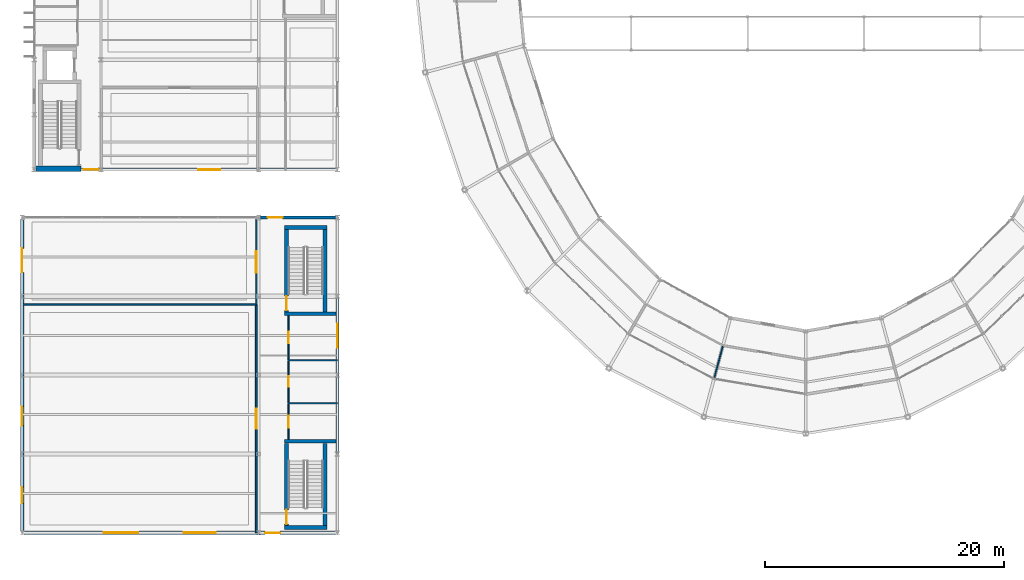
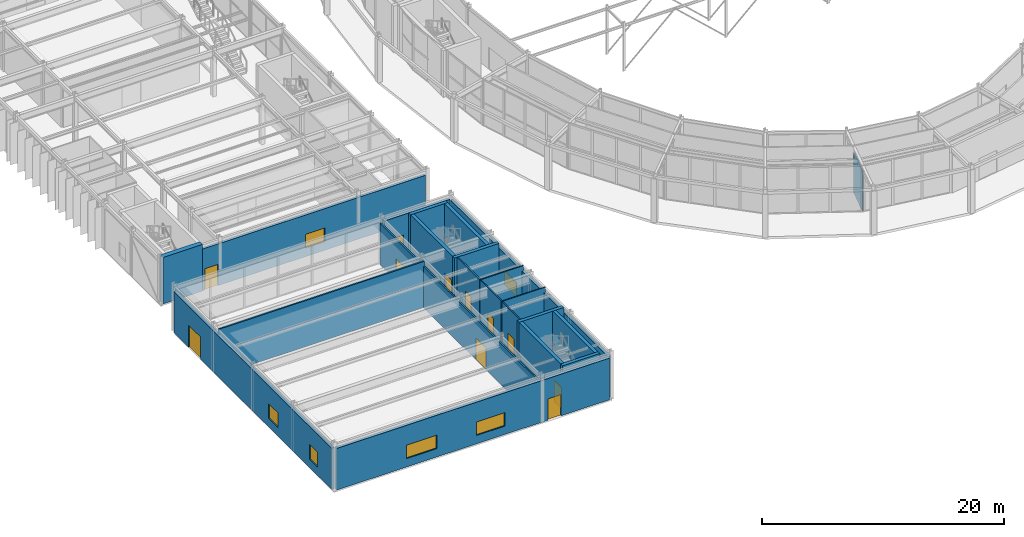
# One storey, part 121 of 144: 23 walls, 11 doors, 6 windows, 17 openings.
"""IFC4 building model written with IfcOpenShell, lengths in metres."""

from ifc_helpers import new_model, si_unit, direction, frame, frame_2d, origin, place, context, subcontext, project, spatial, rectangle, extrude, material, layer, layer_set, type_object, element, fill, save


model = new_model("IFC4")

# Units and contexts
model_context = context("Model", 3, precision=1e-05, world=origin(), true_north=direction((0.0, 1.0)))
body_context = subcontext(model_context, "Body", "Model", "MODEL_VIEW")
ifc_project = project(units=[si_unit("LENGTHUNIT", "METRE"), si_unit("AREAUNIT", "SQUARE_METRE"), si_unit("VOLUMEUNIT", "CUBIC_METRE"), si_unit("PLANEANGLEUNIT", "RADIAN"), si_unit("MASSUNIT", "GRAM", prefix="KILO")], contexts=[model_context])

# Site, building, storey
site_placement = place(None, origin())
site = spatial("IfcSite", under=ifc_project, at=site_placement, CompositionType="ELEMENT")
building_placement = place(site_placement, origin())
building = spatial("IfcBuilding", under=site, at=building_placement, Name="Karori Crest Natural Sciences Institute", CompositionType="ELEMENT")
storey_placement = place(building_placement, origin())
storey = spatial("IfcBuildingStorey", under=building, at=storey_placement, Name="L00", CompositionType="ELEMENT", Elevation=0.0)

# Walls
ifc_material_1 = material(Name="Concrete 50 MPa", Category="concrete")
ifc_layer_1 = layer(ifc_material_1, 0.449951171875, Name="Concrete 50 MPa")
ifc_layer_set_1 = layer_set([ifc_layer_1], Name="Concrete 50 MPa")
wall_type_1 = type_object("IfcWallType", Name="IWT-01-EL", PredefinedType="SHEAR", material=ifc_layer_set_1)
wall_1_placement = place(storey_placement, frame((1.97705078125, 31.27490234375, 0.0), z_axis=(0.0, 0.0, 1.0), x_axis=(1.0, 0.0, 0.0)))
element("IfcWall", 1, at=wall_1_placement, inside=storey, type_object=wall_type_1, Name="Shear wall IW-0229", PredefinedType="SHEAR", context=body_context, shape_type="SweptSolid", body=[
    extrude(rectangle(XDim=3.742919921875, YDim=0.449951171875, at=frame_2d((1.87158203125, 0.0))), origin(), (0.0, 0.0, 1.0), 4.699951171875),
])
ifc_layer_2 = layer(ifc_material_1, 0.320068359375, Name="Concrete 50 MPa")
ifc_layer_set_2 = layer_set([ifc_layer_2], Name="Concrete 50 MPa")
wall_type_2 = type_object("IfcWallType", Name="IWT-03", PredefinedType="SHEAR", material=ifc_layer_set_2)
wall_2_placement = place(storey_placement, frame((22.780029296875, 1.239990234375, 0.0), z_axis=(0.0, 0.0, 1.0), x_axis=(1.0, 0.0, 0.0)))
element("IfcWall", 2, at=wall_2_placement, inside=storey, type_object=wall_type_2, Name="Shear wall IW-0277", PredefinedType="SHEAR", context=body_context, shape_type="SweptSolid", body=[
    extrude(rectangle(XDim=3.5400390625, YDim=0.320068359375, at=frame_2d((1.77001953125, 0.0))), origin(), (0.0, 0.0, 1.0), 4.659912109375),
])
wall_3_placement = place(storey_placement, frame((22.780029296875, 8.4599609375, 0.0), z_axis=(0.0, 0.0, 1.0), x_axis=(1.0, 0.0, 0.0)))
element("IfcWall", 3, at=wall_3_placement, inside=storey, type_object=wall_type_2, Name="Shear wall IW-0278", PredefinedType="SHEAR", context=body_context, shape_type="SweptSolid", body=[
    extrude(rectangle(XDim=4.27490234375, YDim=0.320068359375, at=frame_2d((2.137451171875, 0.0))), origin(), (0.0, 0.0, 1.0), 4.659912109375),
])

# Wall, opening, door
wall_4_placement = place(storey_placement, frame((22.93994140625, 1.402099609375, 0.0), z_axis=(0.0, 0.0, 1.0), x_axis=(0.0, 1.0, 0.0)))
wall_4 = element("IfcWall", 4, at=wall_4_placement, inside=storey, type_object=wall_type_2, Name="Shear wall IW-0279", PredefinedType="SHEAR", context=body_context, shape_type="SweptSolid", body=[
    extrude(rectangle(XDim=6.89599609375, YDim=0.320068359375, at=frame_2d((3.447998046875, 0.0))), origin(), (0.0, 0.0, 1.0), 4.659912109375),
])
opening_1_placement = place(wall_4_placement, frame((0.1201171875, 0.0, 0.0)))
opening_1 = element("IfcOpeningElement", 5, at=opening_1_placement, cuts=wall_4, Name="Opening ID-0070", PredefinedType="OPENING", context=body_context, shape_type="SweptSolid", body=[
    extrude(rectangle(XDim=1.199951171875, YDim=2.14990234375, at=frame_2d((0.60009765625, 1.074951171875))), frame((0.0, 0.169921875, 0.0), z_axis=(0.0, -1.0, 0.0), x_axis=(1.0, 0.0, 0.0)), (0.0, 0.0, 1.0), 0.340087890625),
])
ifc_material_2 = material(Name="Stainless steel 316 and fire-rated timber", Category="steel")
door_type_1 = type_object("IfcDoorType", Name="IDT-01", OperationType="NOTDEFINED", PredefinedType="DOOR", material=ifc_material_2)
door_1_placement = place(opening_1_placement, origin())
door_1 = element("IfcDoor", 6, at=door_1_placement, inside=storey, type_object=door_type_1, Name="Stair ST-09 fire door ID-0070", OperationType="SINGLE_SWING_RIGHT", OverallHeight=2.14990234375, OverallWidth=1.199951171875, PredefinedType="DOOR", context=body_context, shape_type="SweptSolid", body=[
    extrude(rectangle(XDim=1.199951171875, YDim=2.14990234375, at=frame_2d((0.60009765625, 1.074951171875))), frame((0.0, 0.02490234375, 0.0), z_axis=(0.0, -1.0, 0.0), x_axis=(1.0, 0.0, 0.0)), (0.0, 0.0, 1.0), 0.050048828125),
])
fill(opening_1, door_1)

# Walls
wall_5_placement = place(storey_placement, frame((26.159912109375, 1.402099609375, 0.0), z_axis=(0.0, 0.0, 1.0), x_axis=(0.0, 1.0, 0.0)))
element("IfcWall", 7, at=wall_5_placement, inside=storey, type_object=wall_type_2, Name="Shear wall IW-0280", PredefinedType="SHEAR", context=body_context, shape_type="SweptSolid", body=[
    extrude(rectangle(XDim=6.89599609375, YDim=0.320068359375, at=frame_2d((3.447998046875, 0.0))), origin(), (0.0, 0.0, 1.0), 4.659912109375),
])
wall_6_placement = place(storey_placement, frame((22.780029296875, 19.139892578125, 0.0), z_axis=(0.0, 0.0, 1.0), x_axis=(1.0, 0.0, 0.0)))
element("IfcWall", 8, at=wall_6_placement, inside=storey, type_object=wall_type_2, Name="Shear wall IW-0293", PredefinedType="SHEAR", context=body_context, shape_type="SweptSolid", body=[
    extrude(rectangle(XDim=4.27490234375, YDim=0.320068359375, at=frame_2d((2.137451171875, 0.0))), origin(), (0.0, 0.0, 1.0), 4.659912109375),
])
wall_7_placement = place(storey_placement, frame((22.780029296875, 26.360107421875, 0.0), z_axis=(0.0, 0.0, 1.0), x_axis=(1.0, 0.0, 0.0)))
element("IfcWall", 9, at=wall_7_placement, inside=storey, type_object=wall_type_2, Name="Shear wall IW-0294", PredefinedType="SHEAR", context=body_context, shape_type="SweptSolid", body=[
    extrude(rectangle(XDim=3.5400390625, YDim=0.320068359375, at=frame_2d((1.77001953125, 0.0))), origin(), (0.0, 0.0, 1.0), 4.659912109375),
])

# Wall, opening, door
wall_8_placement = place(storey_placement, frame((22.93994140625, 19.302001953125, 0.0), z_axis=(0.0, 0.0, 1.0), x_axis=(0.0, 1.0, 0.0)))
wall_8 = element("IfcWall", 10, at=wall_8_placement, inside=storey, type_object=wall_type_2, Name="Shear wall IW-0295", PredefinedType="SHEAR", context=body_context, shape_type="SweptSolid", body=[
    extrude(rectangle(XDim=6.89599609375, YDim=0.320068359375, at=frame_2d((3.447998046875, 0.0))), origin(), (0.0, 0.0, 1.0), 4.659912109375),
])
opening_2_placement = place(wall_8_placement, frame((0.1201171875, 0.0, 0.0)))
opening_2 = element("IfcOpeningElement", 11, at=opening_2_placement, cuts=wall_8, Name="Opening ID-0074", PredefinedType="OPENING", context=body_context, shape_type="SweptSolid", body=[
    extrude(rectangle(XDim=1.199951171875, YDim=2.14990234375, at=frame_2d((0.60009765625, 1.074951171875))), frame((0.0, 0.169921875, 0.0), z_axis=(0.0, -1.0, 0.0), x_axis=(1.0, 0.0, 0.0)), (0.0, 0.0, 1.0), 0.340087890625),
])
door_2_placement = place(opening_2_placement, origin())
door_2 = element("IfcDoor", 12, at=door_2_placement, inside=storey, type_object=door_type_1, Name="Stair ST-10 fire door ID-0074", OperationType="SINGLE_SWING_RIGHT", OverallHeight=2.14990234375, OverallWidth=1.199951171875, PredefinedType="DOOR", context=body_context, shape_type="SweptSolid", body=[
    extrude(rectangle(XDim=1.199951171875, YDim=2.14990234375, at=frame_2d((0.60009765625, 1.074951171875))), frame((0.0, 0.02490234375, 0.0), z_axis=(0.0, -1.0, 0.0), x_axis=(1.0, 0.0, 0.0)), (0.0, 0.0, 1.0), 0.050048828125),
])
fill(opening_2, door_2)

# Walls
wall_9_placement = place(storey_placement, frame((26.159912109375, 19.302001953125, 0.0), z_axis=(0.0, 0.0, 1.0), x_axis=(0.0, 1.0, 0.0)))
element("IfcWall", 13, at=wall_9_placement, inside=storey, type_object=wall_type_2, Name="Shear wall IW-0296", PredefinedType="SHEAR", context=body_context, shape_type="SweptSolid", body=[
    extrude(rectangle(XDim=6.89599609375, YDim=0.320068359375, at=frame_2d((3.447998046875, 0.0))), origin(), (0.0, 0.0, 1.0), 4.659912109375),
])
ifc_material_3 = material(Name="Laboratory acoustic drywall partition")
ifc_layer_3 = layer(ifc_material_3, 0.139892578125, Name="Laboratory acoustic drywall partition")
ifc_layer_set_3 = layer_set([ifc_layer_3], Name="Laboratory acoustic drywall partition")
wall_type_3 = type_object("IfcWallType", Name="IWT-07", PredefinedType="PARTITIONING", material=ifc_layer_set_3)
wall_10_placement = place(storey_placement, frame((0.800048828125, 19.89990234375, 0.0), z_axis=(0.0, 0.0, 1.0), x_axis=(1.0, 0.0, 0.0)))
element("IfcWall", 14, at=wall_10_placement, inside=storey, type_object=wall_type_3, Name="Partition wall IW-1051", PredefinedType="PARTITIONING", context=body_context, shape_type="SweptSolid", body=[
    extrude(rectangle(XDim=19.599853515625, YDim=0.139892578125, at=frame_2d((9.7998046875, 0.0))), origin(), (0.0, 0.0, 1.0), 4.659912109375),
])

# Wall, opening, door
wall_11_placement = place(storey_placement, frame((20.39990234375, 0.800048828125, 0.0), z_axis=(0.0, 0.0, 1.0), x_axis=(0.0, 1.0, 0.0)))
wall_11 = element("IfcWall", 15, at=wall_11_placement, inside=storey, type_object=wall_type_3, Name="Partition wall IW-1052", PredefinedType="PARTITIONING", context=body_context, shape_type="SweptSolid", body=[
    extrude(rectangle(XDim=19.099853515625, YDim=0.139892578125, at=frame_2d((9.5498046875, 0.0))), origin(), (0.0, 0.0, 1.0), 4.14501953125),
])
opening_3_placement = place(wall_11_placement, frame((8.699951171875, 0.0, 0.0)))
opening_3 = element("IfcOpeningElement", 16, at=opening_3_placement, cuts=wall_11, Name="Opening ID-0294", PredefinedType="OPENING", context=body_context, shape_type="SweptSolid", body=[
    extrude(rectangle(XDim=1.699951171875, YDim=2.199951171875, at=frame_2d((0.85009765625, 1.10009765625))), frame((0.0, 0.080078125, 0.0), z_axis=(0.0, -1.0, 0.0), x_axis=(1.0, 0.0, 0.0)), (0.0, 0.0, 1.0), 0.159912109375),
])
door_type_2 = type_object("IfcDoorType", Name="IDT-06", OperationType="DOUBLE_DOOR_SINGLE_SWING", PredefinedType="DOOR", material=ifc_material_2)
door_3_placement = place(opening_3_placement, origin())
door_3 = element("IfcDoor", 17, at=door_3_placement, inside=storey, type_object=door_type_2, Name="Lecture Theatre door ID-0294", OperationType="DOUBLE_DOOR_SINGLE_SWING", OverallHeight=2.199951171875, OverallWidth=1.699951171875, PredefinedType="DOOR", context=body_context, shape_type="SweptSolid", body=[
    extrude(rectangle(XDim=1.699951171875, YDim=2.199951171875, at=frame_2d((0.85009765625, 1.10009765625))), frame((0.0, 0.02490234375, 0.0), z_axis=(0.0, -1.0, 0.0), x_axis=(1.0, 0.0, 0.0)), (0.0, 0.0, 1.0), 0.050048828125),
])
fill(opening_3, door_3)

wall_12_placement = place(storey_placement, frame((20.39990234375, 19.902099609375, 0.0), z_axis=(0.0, 0.0, 1.0), x_axis=(0.0, 1.0, 0.0)))
wall_12 = element("IfcWall", 18, at=wall_12_placement, inside=storey, type_object=wall_type_3, Name="Partition wall IW-1053", PredefinedType="PARTITIONING", context=body_context, shape_type="SweptSolid", body=[
    extrude(rectangle(XDim=7.156005859375, YDim=0.139892578125, at=frame_2d((3.578125, 0.0))), origin(), (0.0, 0.0, 1.0), 4.14501953125),
])
opening_4_placement = place(wall_12_placement, frame((2.677978515625, 0.0, 0.0)))
opening_4 = element("IfcOpeningElement", 19, at=opening_4_placement, cuts=wall_12, Name="Opening ID-0295", PredefinedType="OPENING", context=body_context, shape_type="SweptSolid", body=[
    extrude(rectangle(XDim=1.800048828125, YDim=2.199951171875, at=frame_2d((0.89990234375, 1.10009765625))), frame((0.0, 0.080078125, 0.0), z_axis=(0.0, -1.0, 0.0), x_axis=(1.0, 0.0, 0.0)), (0.0, 0.0, 1.0), 0.159912109375),
])
door_type_3 = type_object("IfcDoorType", Name="IDT-15", OperationType="DOUBLE_DOOR_SINGLE_SWING", PredefinedType="DOOR", material=ifc_material_2)
door_4_placement = place(opening_4_placement, origin())
door_4 = element("IfcDoor", 20, at=door_4_placement, inside=storey, type_object=door_type_3, Name="Lecture Pre-Function Foyer door ID-0295", OperationType="DOUBLE_DOOR_SINGLE_SWING", OverallHeight=2.199951171875, OverallWidth=1.800048828125, PredefinedType="DOOR", context=body_context, shape_type="SweptSolid", body=[
    extrude(rectangle(XDim=1.800048828125, YDim=2.199951171875, at=frame_2d((0.89990234375, 1.10009765625))), frame((0.0, 0.02490234375, 0.0), z_axis=(0.0, -1.0, 0.0), x_axis=(1.0, 0.0, 0.0)), (0.0, 0.0, 1.0), 0.050048828125),
])
fill(opening_4, door_4)

ifc_material_4 = material(Name="Write-up office acoustic partition")
ifc_layer_4 = layer(ifc_material_4, 0.1201171875, Name="Write-up office acoustic partition")
ifc_layer_set_4 = layer_set([ifc_layer_4], Name="Write-up office acoustic partition")
wall_type_4 = type_object("IfcWallType", Name="IWT-08", PredefinedType="PARTITIONING", material=ifc_layer_set_4)
wall_13_placement = place(storey_placement, frame((23.10009765625, 15.302001953125, 0.0), z_axis=(0.0, 0.0, 1.0), x_axis=(0.0, 1.0, 0.0)))
wall_13 = element("IfcWall", 21, at=wall_13_placement, inside=storey, type_object=wall_type_4, Name="Partition wall IW-1058", PredefinedType="PARTITIONING", context=body_context, shape_type="SweptSolid", body=[
    extrude(rectangle(XDim=3.677978515625, YDim=0.1201171875, at=frame_2d((1.8388671875, 0.0))), origin(), (0.0, 0.0, 1.0), 4.659912109375),
])
opening_5_placement = place(wall_13_placement, frame((1.364013671875, 0.0, 0.0)))
opening_5 = element("IfcOpeningElement", 22, at=opening_5_placement, cuts=wall_13, Name="Opening ID-0298", PredefinedType="OPENING", context=body_context, shape_type="SweptSolid", body=[
    extrude(rectangle(XDim=0.949951171875, YDim=2.10009765625, at=frame_2d((0.47509765625, 1.050048828125))), frame((0.0, 0.070068359375, 0.0), z_axis=(0.0, -1.0, 0.0), x_axis=(1.0, 0.0, 0.0)), (0.0, 0.0, 1.0), 0.14013671875),
])
ifc_material_5 = material(Name="Anodised aluminium and acoustic timber", Category="wood")
door_type_4 = type_object("IfcDoorType", Name="IDT-08", OperationType="NOTDEFINED", PredefinedType="DOOR", material=ifc_material_5)
door_5_placement = place(opening_5_placement, origin())
door_5 = element("IfcDoor", 23, at=door_5_placement, inside=storey, type_object=door_type_4, Name="Audiovisual Preparation Room door ID-0298", OperationType="SINGLE_SWING_RIGHT", OverallHeight=2.10009765625, OverallWidth=0.949951171875, PredefinedType="DOOR", context=body_context, shape_type="SweptSolid", body=[
    extrude(rectangle(XDim=0.949951171875, YDim=2.10009765625, at=frame_2d((0.47509765625, 1.050048828125))), frame((0.0, 0.02490234375, 0.0), z_axis=(0.0, -1.0, 0.0), x_axis=(1.0, 0.0, 0.0)), (0.0, 0.0, 1.0), 0.050048828125),
])
fill(opening_5, door_5)

# Wall
ifc_material_6 = material(Name="Washroom moisture-resistant partition")
ifc_layer_5 = layer(ifc_material_6, 0.10009765625, Name="Washroom moisture-resistant partition")
ifc_layer_set_5 = layer_set([ifc_layer_5], Name="Washroom moisture-resistant partition")
wall_type_5 = type_object("IfcWallType", Name="IWT-09", PredefinedType="PARTITIONING", material=ifc_layer_set_5)
wall_14_placement = place(storey_placement, frame((23.10205078125, 11.64990234375, 0.0), z_axis=(0.0, 0.0, 1.0), x_axis=(1.0, 0.0, 0.0)))
element("IfcWall", 24, at=wall_14_placement, inside=storey, type_object=wall_type_5, Name="Partition wall IW-1054", PredefinedType="PARTITIONING", context=body_context, shape_type="SweptSolid", body=[
    extrude(rectangle(XDim=4.097900390625, YDim=0.10009765625, at=frame_2d((2.048828125, 0.0))), origin(), (0.0, 0.0, 1.0), 4.659912109375),
])

# Wall, opening, door
wall_15_placement = place(storey_placement, frame((23.10009765625, 8.6201171875, 0.0), z_axis=(0.0, 0.0, 1.0), x_axis=(0.0, 1.0, 0.0)))
wall_15 = element("IfcWall", 25, at=wall_15_placement, inside=storey, type_object=wall_type_5, Name="Partition wall IW-1055", PredefinedType="PARTITIONING", context=body_context, shape_type="SweptSolid", body=[
    extrude(rectangle(XDim=2.977783203125, YDim=0.10009765625, at=frame_2d((1.48876953125, 0.0))), origin(), (0.0, 0.0, 1.0), 4.659912109375),
])
opening_6_placement = place(wall_15_placement, frame((0.989013671875, 0.0, 0.0)))
opening_6 = element("IfcOpeningElement", 26, at=opening_6_placement, cuts=wall_15, Name="Opening ID-0296", PredefinedType="OPENING", context=body_context, shape_type="SweptSolid", body=[
    extrude(rectangle(XDim=1.0, YDim=2.10009765625, at=frame_2d((0.5, 1.050048828125))), frame((0.0, 0.06005859375, 0.0), z_axis=(0.0, -1.0, 0.0), x_axis=(1.0, 0.0, 0.0)), (0.0, 0.0, 1.0), 0.1201171875),
])
door_type_5 = type_object("IfcDoorType", Name="IDT-09", OperationType="NOTDEFINED", PredefinedType="DOOR", material=ifc_material_5)
door_6_placement = place(opening_6_placement, origin())
door_6 = element("IfcDoor", 27, at=door_6_placement, inside=storey, type_object=door_type_5, Name="Accessible WC door ID-0296", OperationType="SINGLE_SWING_RIGHT", OverallHeight=2.10009765625, OverallWidth=1.0, PredefinedType="DOOR", context=body_context, shape_type="SweptSolid", body=[
    extrude(rectangle(XDim=1.0, YDim=2.10009765625, at=frame_2d((0.5, 1.050048828125))), frame((0.0, 0.02490234375, 0.0), z_axis=(0.0, -1.0, 0.0), x_axis=(1.0, 0.0, 0.0)), (0.0, 0.0, 1.0), 0.050048828125),
])
fill(opening_6, door_6)

# Wall
wall_16_placement = place(storey_placement, frame((23.10205078125, 15.25, 0.0), z_axis=(0.0, 0.0, 1.0), x_axis=(1.0, 0.0, 0.0)))
element("IfcWall", 28, at=wall_16_placement, inside=storey, type_object=wall_type_5, Name="Partition wall IW-1056", PredefinedType="PARTITIONING", context=body_context, shape_type="SweptSolid", body=[
    extrude(rectangle(XDim=4.097900390625, YDim=0.10009765625, at=frame_2d((2.048828125, 0.0))), origin(), (0.0, 0.0, 1.0), 4.659912109375),
])

# Wall, opening, door
wall_17_placement = place(storey_placement, frame((23.10009765625, 11.701904296875, 0.0), z_axis=(0.0, 0.0, 1.0), x_axis=(0.0, 1.0, 0.0)))
wall_17 = element("IfcWall", 29, at=wall_17_placement, inside=storey, type_object=wall_type_5, Name="Partition wall IW-1057", PredefinedType="PARTITIONING", context=body_context, shape_type="SweptSolid", body=[
    extrude(rectangle(XDim=3.49609375, YDim=0.10009765625, at=frame_2d((1.748046875, 0.0))), origin(), (0.0, 0.0, 1.0), 4.659912109375),
])
opening_7_placement = place(wall_17_placement, frame((1.30810546875, 0.0, 0.0)))
opening_7 = element("IfcOpeningElement", 30, at=opening_7_placement, cuts=wall_17, Name="Opening ID-0297", PredefinedType="OPENING", context=body_context, shape_type="SweptSolid", body=[
    extrude(rectangle(XDim=0.8798828125, YDim=2.080078125, at=frame_2d((0.43994140625, 1.0400390625))), frame((0.0, 0.06005859375, 0.0), z_axis=(0.0, -1.0, 0.0), x_axis=(1.0, 0.0, 0.0)), (0.0, 0.0, 1.0), 0.1201171875),
])
door_type_6 = type_object("IfcDoorType", Name="IDT-10", OperationType="NOTDEFINED", PredefinedType="DOOR", material=ifc_material_5)
door_7_placement = place(opening_7_placement, origin())
door_7 = element("IfcDoor", 31, at=door_7_placement, inside=storey, type_object=door_type_6, Name="Public Washroom WC door ID-0297", OperationType="SINGLE_SWING_LEFT", OverallHeight=2.080078125, OverallWidth=0.8798828125, PredefinedType="DOOR", context=body_context, shape_type="SweptSolid", body=[
    extrude(rectangle(XDim=0.8798828125, YDim=2.080078125, at=frame_2d((0.43994140625, 1.0400390625))), frame((0.0, 0.02490234375, 0.0), z_axis=(0.0, -1.0, 0.0), x_axis=(1.0, 0.0, 0.0)), (0.0, 0.0, 1.0), 0.050048828125),
])
fill(opening_7, door_7)

# Wall
wall_18_placement = place(storey_placement, frame((59.44287109375, 16.401611328125, 0.0), z_axis=(0.0, 0.0, 1.0), x_axis=(-0.258840732966, -0.965920014783, 0.0)))
element("IfcWall", 32, at=wall_18_placement, inside=storey, type_object=wall_type_5, Name="Partition wall IW-1197", PredefinedType="PARTITIONING", context=body_context, shape_type="SweptSolid", body=[
    extrude(rectangle(XDim=2.759765625, YDim=0.10009765625, at=frame_2d((1.3798828125, 0.0))), origin(), (0.0, 0.0, 1.0), 4.02294921875),
])

# Wall, openings, door, windows
ifc_material_7 = material(Name="Precast concrete 40 MPa", Category="concrete")
ifc_layer_6 = layer(ifc_material_7, 0.280029296875, Name="Precast concrete 40 MPa")
ifc_layer_set_6 = layer_set([ifc_layer_6], Name="Precast concrete 40 MPa")
wall_type_6 = type_object("IfcWallType", Name="WT-02", PredefinedType="SOLIDWALL", material=ifc_layer_set_6)
wall_19_placement = place(storey_placement, frame((0.800048828125, 0.972900390625, 0.0), z_axis=(0.0, 0.0, 1.0), x_axis=(0.0, 1.0, 0.0)))
wall_19 = element("IfcWall", 33, at=wall_19_placement, inside=storey, type_object=wall_type_6, Name="Exterior wall EW-0117", PredefinedType="SOLIDWALL", context=body_context, shape_type="SweptSolid", body=[
    extrude(rectangle(XDim=26.05419921875, YDim=0.280029296875, at=frame_2d((13.027099609375, 0.0))), origin(), (0.0, 0.0, 1.0), 4.14501953125),
])
opening_8_placement = place(wall_19_placement, frame((21.626953125, 0.0, 0.0)))
opening_8 = element("IfcOpeningElement", 34, at=opening_8_placement, cuts=wall_19, Name="Opening ED-0013", PredefinedType="OPENING", context=body_context, shape_type="SweptSolid", body=[
    extrude(rectangle(XDim=2.0, YDim=2.25, at=frame_2d((1.0, 1.125))), frame((0.0, 0.14990234375, 0.0), z_axis=(0.0, -1.0, 0.0), x_axis=(1.0, 0.0, 0.0)), (0.0, 0.0, 1.0), 0.300048828125),
])
opening_9_placement = place(wall_19_placement, frame((2.300048828125, 0.0, 0.85009765625)))
opening_9 = element("IfcOpeningElement", 35, at=opening_9_placement, cuts=wall_19, Name="Opening WN-0055", PredefinedType="OPENING", context=body_context, shape_type="SweptSolid", body=[
    extrude(rectangle(XDim=1.35009765625, YDim=1.5, at=frame_2d((0.675048828125, 0.75))), frame((0.0, 0.14990234375, 0.0), z_axis=(0.0, -1.0, 0.0), x_axis=(1.0, 0.0, 0.0)), (0.0, 0.0, 1.0), 0.300048828125),
])
opening_10_placement = place(wall_19_placement, frame((8.800048828125, 0.0, 0.85009765625)))
opening_10 = element("IfcOpeningElement", 36, at=opening_10_placement, cuts=wall_19, Name="Opening WN-0056", PredefinedType="OPENING", context=body_context, shape_type="SweptSolid", body=[
    extrude(rectangle(XDim=1.60009765625, YDim=1.5, at=frame_2d((0.800048828125, 0.75))), frame((0.0, 0.14990234375, 0.0), z_axis=(0.0, -1.0, 0.0), x_axis=(1.0, 0.0, 0.0)), (0.0, 0.0, 1.0), 0.300048828125),
])
ifc_material_8 = material(Name="Anodised architectural aluminium 6063-T6", Category="aluminium")
door_type_7 = type_object("IfcDoorType", Name="EDT-01", OperationType="DOUBLE_DOOR_SINGLE_SWING", PredefinedType="DOOR", material=ifc_material_8)
door_8_placement = place(opening_8_placement, origin())
door_8 = element("IfcDoor", 37, at=door_8_placement, inside=storey, type_object=door_type_7, Name="Lecture foyer street entrance ED-0013", OperationType="DOUBLE_DOOR_SINGLE_SWING", OverallHeight=2.25, OverallWidth=2.0, PredefinedType="DOOR", context=body_context, shape_type="SweptSolid", body=[
    extrude(rectangle(XDim=2.0, YDim=2.25, at=frame_2d((1.0, 1.125))), frame((0.0, 0.02490234375, 0.0), z_axis=(0.0, -1.0, 0.0), x_axis=(1.0, 0.0, 0.0)), (0.0, 0.0, 1.0), 0.050048828125),
])
fill(opening_8, door_8)
ifc_material_9 = material(Name="Double low-E laminated glass", Category="glass")
window_type_1 = type_object("IfcWindowType", Name="WNT-19", PartitioningType="SINGLE_PANEL", PredefinedType="WINDOW", material=ifc_material_9)
window_1_placement = place(opening_9_placement, origin())
window_1 = element("IfcWindow", 38, at=window_1_placement, inside=storey, type_object=window_type_1, Name="Window WN-0055", OverallHeight=1.5, OverallWidth=1.35009765625, PartitioningType="SINGLE_PANEL", PredefinedType="WINDOW", context=body_context, shape_type="SweptSolid", body=[
    extrude(rectangle(XDim=1.35009765625, YDim=1.5, at=frame_2d((0.675048828125, 0.75))), frame((0.0, 0.030029296875, 0.0), z_axis=(0.0, -1.0, 0.0), x_axis=(1.0, 0.0, 0.0)), (0.0, 0.0, 1.0), 0.06005859375),
])
fill(opening_9, window_1)
window_type_2 = type_object("IfcWindowType", Name="WNT-20", PartitioningType="SINGLE_PANEL", PredefinedType="WINDOW", material=ifc_material_9)
window_2_placement = place(opening_10_placement, origin())
window_2 = element("IfcWindow", 39, at=window_2_placement, inside=storey, type_object=window_type_2, Name="Window WN-0056", OverallHeight=1.5, OverallWidth=1.60009765625, PartitioningType="SINGLE_PANEL", PredefinedType="WINDOW", context=body_context, shape_type="SweptSolid", body=[
    extrude(rectangle(XDim=1.60009765625, YDim=1.5, at=frame_2d((0.800048828125, 0.75))), frame((0.0, 0.030029296875, 0.0), z_axis=(0.0, -1.0, 0.0), x_axis=(1.0, 0.0, 0.0)), (0.0, 0.0, 1.0), 0.06005859375),
])
fill(opening_10, window_2)

# Wall, opening, door
wall_20_placement = place(storey_placement, frame((20.77294921875, 27.199951171875, 0.0), z_axis=(0.0, 0.0, 1.0), x_axis=(1.0, 0.0, 0.0)))
wall_20 = element("IfcWall", 40, at=wall_20_placement, inside=storey, type_object=wall_type_6, Name="Exterior wall EW-0118", PredefinedType="SOLIDWALL", context=body_context, shape_type="SweptSolid", body=[
    extrude(rectangle(XDim=6.254150390625, YDim=0.280029296875, at=frame_2d((3.126953125, 0.0))), origin(), (0.0, 0.0, 1.0), 4.205078125),
])
opening_11_placement = place(wall_20_placement, frame((0.576904296875, 0.0, 0.0)))
opening_11 = element("IfcOpeningElement", 41, at=opening_11_placement, cuts=wall_20, Name="Opening ED-0031", PredefinedType="OPENING", context=body_context, shape_type="SweptSolid", body=[
    extrude(rectangle(XDim=1.25, YDim=2.14990234375, at=frame_2d((0.625, 1.074951171875))), frame((0.0, 0.14990234375, 0.0), z_axis=(0.0, -1.0, 0.0), x_axis=(1.0, 0.0, 0.0)), (0.0, 0.0, 1.0), 0.300048828125),
])
door_type_8 = type_object("IfcDoorType", Name="EDT-03", OperationType="NOTDEFINED", PredefinedType="DOOR", material=ifc_material_8)
door_9_placement = place(opening_11_placement, origin())
door_9 = element("IfcDoor", 42, at=door_9_placement, inside=storey, type_object=door_type_8, Name="Auditorium north core final exit door ED-0031", OperationType="SINGLE_SWING_RIGHT", OverallHeight=2.14990234375, OverallWidth=1.25, PredefinedType="DOOR", context=body_context, shape_type="SweptSolid", body=[
    extrude(rectangle(XDim=1.25, YDim=2.14990234375, at=frame_2d((0.625, 1.074951171875))), frame((0.0, 0.02490234375, 0.0), z_axis=(0.0, -1.0, 0.0), x_axis=(1.0, 0.0, 0.0)), (0.0, 0.0, 1.0), 0.050048828125),
])
fill(opening_11, door_9)

# Wall, opening, window
wall_21_placement = place(storey_placement, frame((27.199951171875, 27.027099609375, 0.0), z_axis=(0.0, 0.0, 1.0), x_axis=(0.0, -1.0, 0.0)))
wall_21 = element("IfcWall", 43, at=wall_21_placement, inside=storey, type_object=wall_type_6, Name="Exterior wall EW-0119", PredefinedType="SOLIDWALL", context=body_context, shape_type="SweptSolid", body=[
    extrude(rectangle(XDim=26.05419921875, YDim=0.280029296875, at=frame_2d((13.027099609375, 0.0))), origin(), (0.0, 0.0, 1.0), 4.14501953125),
])
opening_12_placement = place(wall_21_placement, frame((8.72705078125, 0.0, 0.85009765625)))
opening_12 = element("IfcOpeningElement", 44, at=opening_12_placement, cuts=wall_21, Name="Opening WN-0057", PredefinedType="OPENING", context=body_context, shape_type="SweptSolid", body=[
    extrude(rectangle(XDim=2.0, YDim=1.39990234375, at=frame_2d((1.0, 0.699951171875))), frame((0.0, 0.14990234375, 0.0), z_axis=(0.0, -1.0, 0.0), x_axis=(1.0, 0.0, 0.0)), (0.0, 0.0, 1.0), 0.300048828125),
])
window_type_3 = type_object("IfcWindowType", Name="WNT-07", PartitioningType="SINGLE_PANEL", PredefinedType="WINDOW", material=ifc_material_9)
window_3_placement = place(opening_12_placement, origin())
window_3 = element("IfcWindow", 45, at=window_3_placement, inside=storey, type_object=window_type_3, Name="Window WN-0057", OverallHeight=1.39990234375, OverallWidth=2.0, PartitioningType="SINGLE_PANEL", PredefinedType="WINDOW", context=body_context, shape_type="SweptSolid", body=[
    extrude(rectangle(XDim=2.0, YDim=1.39990234375, at=frame_2d((1.0, 0.699951171875))), frame((0.0, 0.030029296875, 0.0), z_axis=(0.0, -1.0, 0.0), x_axis=(1.0, 0.0, 0.0)), (0.0, 0.0, 1.0), 0.06005859375),
])
fill(opening_12, window_3)

# Wall, openings, door, windows
wall_22_placement = place(storey_placement, frame((27.027099609375, 0.800048828125, 0.0), z_axis=(0.0, 0.0, 1.0), x_axis=(-1.0, 0.0, 0.0)))
wall_22 = element("IfcWall", 46, at=wall_22_placement, inside=storey, type_object=wall_type_6, Name="Exterior wall EW-0120", PredefinedType="SOLIDWALL", context=body_context, shape_type="SweptSolid", body=[
    extrude(rectangle(XDim=26.05419921875, YDim=0.280029296875, at=frame_2d((13.027099609375, 0.0))), origin(), (0.0, 0.0, 1.0), 4.205078125),
])
opening_13_placement = place(wall_22_placement, frame((4.626953125, 0.0, 0.0)))
opening_13 = element("IfcOpeningElement", 47, at=opening_13_placement, cuts=wall_22, Name="Opening ED-0014", PredefinedType="OPENING", context=body_context, shape_type="SweptSolid", body=[
    extrude(rectangle(XDim=1.25, YDim=2.14990234375, at=frame_2d((0.625, 1.074951171875))), frame((0.0, 0.14990234375, 0.0), z_axis=(0.0, -1.0, 0.0), x_axis=(1.0, 0.0, 0.0)), (0.0, 0.0, 1.0), 0.300048828125),
])
opening_14_placement = place(wall_22_placement, frame((10.0, 0.0, 0.85009765625)))
opening_14 = element("IfcOpeningElement", 48, at=opening_14_placement, cuts=wall_22, Name="Opening WN-0058", PredefinedType="OPENING", context=body_context, shape_type="SweptSolid", body=[
    extrude(rectangle(XDim=2.699951171875, YDim=1.35009765625, at=frame_2d((1.35009765625, 0.675048828125))), frame((0.0, 0.14990234375, 0.0), z_axis=(0.0, -1.0, 0.0), x_axis=(1.0, 0.0, 0.0)), (0.0, 0.0, 1.0), 0.300048828125),
])
opening_15_placement = place(wall_22_placement, frame((16.5, 0.0, 0.85009765625)))
opening_15 = element("IfcOpeningElement", 49, at=opening_15_placement, cuts=wall_22, Name="Opening WN-0059", PredefinedType="OPENING", context=body_context, shape_type="SweptSolid", body=[
    extrude(rectangle(XDim=2.89990234375, YDim=1.35009765625, at=frame_2d((1.449951171875, 0.675048828125))), frame((0.0, 0.14990234375, 0.0), z_axis=(0.0, -1.0, 0.0), x_axis=(1.0, 0.0, 0.0)), (0.0, 0.0, 1.0), 0.300048828125),
])
door_10_placement = place(opening_13_placement, origin())
door_10 = element("IfcDoor", 50, at=door_10_placement, inside=storey, type_object=door_type_8, Name="Auditorium corridor final exit door ED-0014", OperationType="SINGLE_SWING_LEFT", OverallHeight=2.14990234375, OverallWidth=1.25, PredefinedType="DOOR", context=body_context, shape_type="SweptSolid", body=[
    extrude(rectangle(XDim=1.25, YDim=2.14990234375, at=frame_2d((0.625, 1.074951171875))), frame((0.0, 0.02490234375, 0.0), z_axis=(0.0, -1.0, 0.0), x_axis=(1.0, 0.0, 0.0)), (0.0, 0.0, 1.0), 0.050048828125),
])
fill(opening_13, door_10)
window_type_4 = type_object("IfcWindowType", Name="WNT-23", PartitioningType="SINGLE_PANEL", PredefinedType="WINDOW", material=ifc_material_9)
window_4_placement = place(opening_14_placement, origin())
window_4 = element("IfcWindow", 51, at=window_4_placement, inside=storey, type_object=window_type_4, Name="Window WN-0058", OverallHeight=1.35009765625, OverallWidth=2.699951171875, PartitioningType="SINGLE_PANEL", PredefinedType="WINDOW", context=body_context, shape_type="SweptSolid", body=[
    extrude(rectangle(XDim=2.699951171875, YDim=1.35009765625, at=frame_2d((1.35009765625, 0.675048828125))), frame((0.0, 0.030029296875, 0.0), z_axis=(0.0, -1.0, 0.0), x_axis=(1.0, 0.0, 0.0)), (0.0, 0.0, 1.0), 0.06005859375),
])
fill(opening_14, window_4)
window_type_5 = type_object("IfcWindowType", Name="WNT-24", PartitioningType="SINGLE_PANEL", PredefinedType="WINDOW", material=ifc_material_9)
window_5_placement = place(opening_15_placement, origin())
window_5 = element("IfcWindow", 52, at=window_5_placement, inside=storey, type_object=window_type_5, Name="Window WN-0059", OverallHeight=1.35009765625, OverallWidth=2.89990234375, PartitioningType="SINGLE_PANEL", PredefinedType="WINDOW", context=body_context, shape_type="SweptSolid", body=[
    extrude(rectangle(XDim=2.89990234375, YDim=1.35009765625, at=frame_2d((1.449951171875, 0.675048828125))), frame((0.0, 0.030029296875, 0.0), z_axis=(0.0, -1.0, 0.0), x_axis=(1.0, 0.0, 0.0)), (0.0, 0.0, 1.0), 0.06005859375),
])
fill(opening_15, window_5)

# Wall, openings, door, window
ifc_layer_7 = layer(ifc_material_7, 0.239990234375, Name="Precast concrete 40 MPa")
ifc_layer_set_7 = layer_set([ifc_layer_7], Name="Precast concrete 40 MPa")
wall_type_7 = type_object("IfcWallType", Name="WT-04", PredefinedType="SOLIDWALL", material=ifc_layer_set_7)
wall_23_placement = place(storey_placement, frame((27.027099609375, 31.199951171875, 0.0), z_axis=(0.0, 0.0, 1.0), x_axis=(-1.0, 0.0, 0.0)))
wall_23 = element("IfcWall", 53, at=wall_23_placement, inside=storey, type_object=wall_type_7, Name="Exterior wall EW-0136", PredefinedType="SOLIDWALL", context=body_context, shape_type="SweptSolid", body=[
    extrude(rectangle(XDim=21.30517578125, YDim=0.239990234375, at=frame_2d((10.652587890625, 0.0))), origin(), (0.0, 0.0, 1.0), 4.205078125),
])
opening_16_placement = place(wall_23_placement, frame((19.826904296875, 0.0, 0.0)))
opening_16 = element("IfcOpeningElement", 54, at=opening_16_placement, cuts=wall_23, Name="Opening ED-0018", PredefinedType="OPENING", context=body_context, shape_type="SweptSolid", body=[
    extrude(rectangle(XDim=1.25, YDim=2.14990234375, at=frame_2d((0.625, 1.074951171875))), frame((0.0, 0.1298828125, 0.0), z_axis=(0.0, -1.0, 0.0), x_axis=(1.0, 0.0, 0.0)), (0.0, 0.0, 1.0), 0.260009765625),
])
opening_17_placement = place(wall_23_placement, frame((9.626953125, 0.0, 0.85009765625)))
opening_17 = element("IfcOpeningElement", 55, at=opening_17_placement, cuts=wall_23, Name="Opening WN-0073", PredefinedType="OPENING", context=body_context, shape_type="SweptSolid", body=[
    extrude(rectangle(XDim=1.85009765625, YDim=1.39990234375, at=frame_2d((0.925048828125, 0.699951171875))), frame((0.0, 0.1298828125, 0.0), z_axis=(0.0, -1.0, 0.0), x_axis=(1.0, 0.0, 0.0)), (0.0, 0.0, 1.0), 0.260009765625),
])
door_11_placement = place(opening_16_placement, origin())
door_11 = element("IfcDoor", 56, at=door_11_placement, inside=storey, type_object=door_type_8, Name="Atrium south final exit door ED-0018", OperationType="SINGLE_SWING_RIGHT", OverallHeight=2.14990234375, OverallWidth=1.25, PredefinedType="DOOR", context=body_context, shape_type="SweptSolid", body=[
    extrude(rectangle(XDim=1.25, YDim=2.14990234375, at=frame_2d((0.625, 1.074951171875))), frame((0.0, 0.02490234375, 0.0), z_axis=(0.0, -1.0, 0.0), x_axis=(1.0, 0.0, 0.0)), (0.0, 0.0, 1.0), 0.050048828125),
])
fill(opening_16, door_11)
window_type_6 = type_object("IfcWindowType", Name="WNT-06", PartitioningType="SINGLE_PANEL", PredefinedType="WINDOW", material=ifc_material_9)
window_6_placement = place(opening_17_placement, origin())
window_6 = element("IfcWindow", 57, at=window_6_placement, inside=storey, type_object=window_type_6, Name="Window WN-0073", OverallHeight=1.39990234375, OverallWidth=1.85009765625, PartitioningType="SINGLE_PANEL", PredefinedType="WINDOW", context=body_context, shape_type="SweptSolid", body=[
    extrude(rectangle(XDim=1.85009765625, YDim=1.39990234375, at=frame_2d((0.925048828125, 0.699951171875))), frame((0.0, 0.030029296875, 0.0), z_axis=(0.0, -1.0, 0.0), x_axis=(1.0, 0.0, 0.0)), (0.0, 0.0, 1.0), 0.06005859375),
])
fill(opening_17, window_6)

save(model, "model.ifc")
